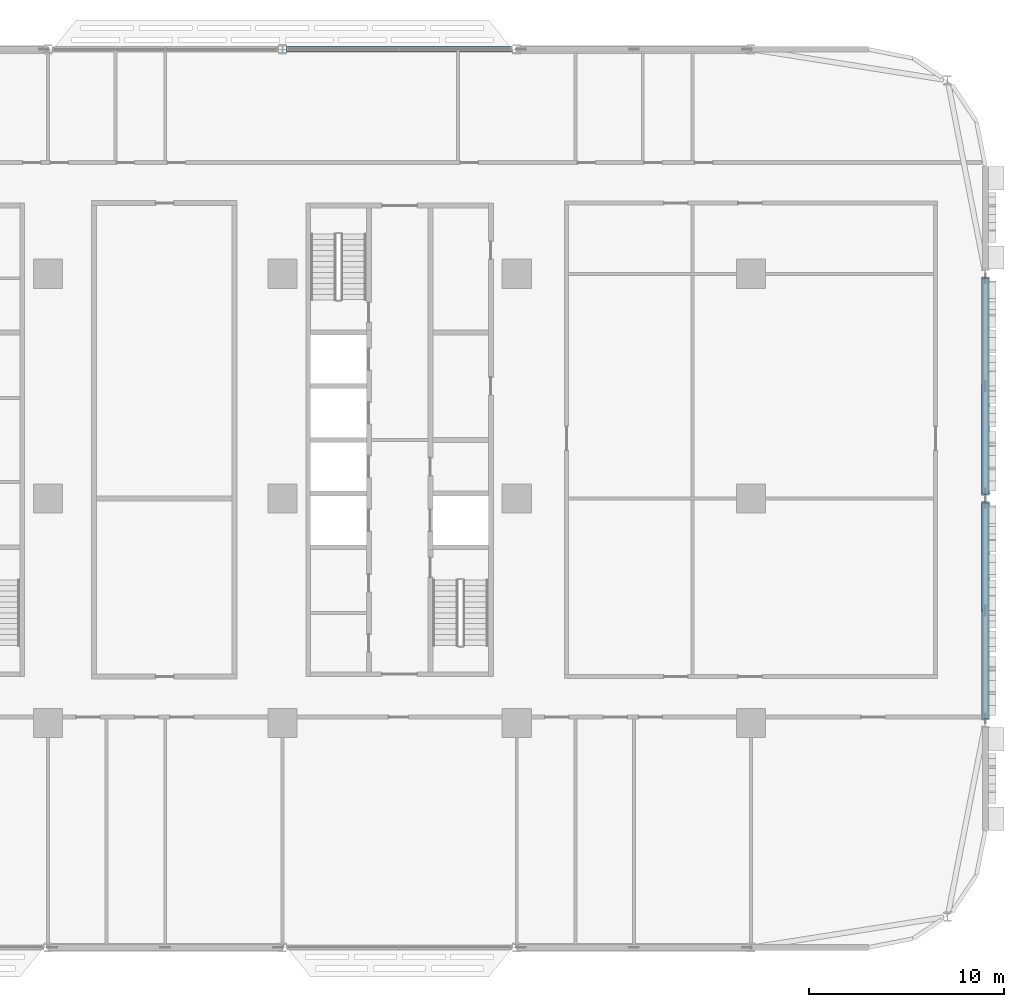
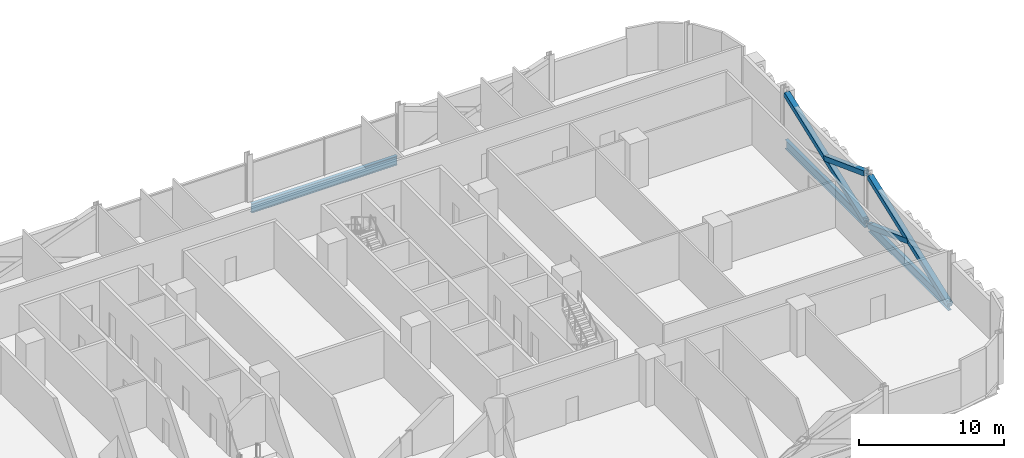
# One storey, part 9 of 29: 4 members, 3 beams.
"""IFC4 building model written with IfcOpenShell, lengths in metres."""

from ifc_helpers import new_model, si_unit, direction, frame, origin, origin_2d, place, context, subcontext, project, spatial, hollow_rectangle, i_section, extrude, material, material_profile, profile_set, type_object, element, save


model = new_model("IFC4")

# Units and contexts
model_context = context("Model", 3, precision=1e-05, world=origin(), true_north=direction((0.0, 1.0)))
body_context = subcontext(model_context, "Body", "Model", "MODEL_VIEW")
ifc_project = project(units=[si_unit("LENGTHUNIT", "METRE"), si_unit("AREAUNIT", "SQUARE_METRE"), si_unit("VOLUMEUNIT", "CUBIC_METRE"), si_unit("PLANEANGLEUNIT", "RADIAN"), si_unit("MASSUNIT", "GRAM", prefix="KILO")], contexts=[model_context])

# Site, building, storey
site_placement = place(None, origin())
site = spatial("IfcSite", under=ifc_project, at=site_placement, CompositionType="ELEMENT")
building_placement = place(site_placement, origin())
building = spatial("IfcBuilding", under=site, at=building_placement, Name="Mahtab Terrace Research Tower", CompositionType="ELEMENT")
storey_placement = place(building_placement, frame((0.0, 0.0, 67.5)))
storey = spatial("IfcBuildingStorey", under=building, at=storey_placement, Name="L15", CompositionType="ELEMENT", Elevation=67.5)

# Members
ifc_material_1 = material(Name="Steel ASTM A500 Gr C", Category="steel")
ifc_material_profile_1 = material_profile(ifc_material_1, hollow_rectangle(XDim=0.406494140625, YDim=0.406494140625, WallThickness=0.01904296875, at=origin_2d()), Name="HSS16X16X3/4")
ifc_profile_set_1 = profile_set([ifc_material_profile_1], Name="Steel ASTM A500 Gr C")
member_type = type_object("IfcMemberType", Name="HSS 16x16x3/4 brace XB161634", PredefinedType="BRACE", material=ifc_profile_set_1)
member_1_placement = place(storey_placement, frame((54.0, -11.262451171875, -0.629638671875), z_axis=(0.0, 0.936664598222, 0.35022768371), x_axis=(-1.0, 0.0, 0.0)))
element("IfcMember", 1, at=member_1_placement, inside=storey, type_object=member_type, Name="Exoskeleton brace L15 22 a", PredefinedType="BRACE", context=body_context, shape_type="SweptSolid", body=[
    extrude(hollow_rectangle(XDim=0.406494140625, YDim=0.406494140625, WallThickness=0.01904296875, at=origin_2d()), origin(), (0.0, 0.0, 1.0), 11.770263671875),
])
member_2_placement = place(storey_placement, frame((54.0, -0.237548828125, -0.629638671875), z_axis=(0.0, -0.936657793787, 0.350245881259), x_axis=(1.0, 0.0, 0.0)))
element("IfcMember", 2, at=member_2_placement, inside=storey, type_object=member_type, Name="Exoskeleton brace L15 22 b1", PredefinedType="BRACE", context=body_context, shape_type="SweptSolid", body=[
    extrude(hollow_rectangle(XDim=0.406494140625, YDim=0.406494140625, WallThickness=0.01904296875, at=origin_2d()), origin(), (0.0, 0.0, 1.0), 5.88525390625),
])
member_3_placement = place(storey_placement, frame((54.0, 0.237548828125, -0.629638671875), z_axis=(0.0, 0.936664598222, 0.35022768371), x_axis=(-1.0, 0.0, 0.0)))
element("IfcMember", 3, at=member_3_placement, inside=storey, type_object=member_type, Name="Exoskeleton brace L15 23 a", PredefinedType="BRACE", context=body_context, shape_type="SweptSolid", body=[
    extrude(hollow_rectangle(XDim=0.406494140625, YDim=0.406494140625, WallThickness=0.01904296875, at=origin_2d()), origin(), (0.0, 0.0, 1.0), 11.770263671875),
])
member_4_placement = place(storey_placement, frame((54.0, 5.75, 1.431640625), z_axis=(0.0, -0.936671402403, 0.350209485765), x_axis=(1.0, 0.0, 0.0)))
element("IfcMember", 4, at=member_4_placement, inside=storey, type_object=member_type, Name="Exoskeleton brace L15 23 b2", PredefinedType="BRACE", context=body_context, shape_type="SweptSolid", body=[
    extrude(hollow_rectangle(XDim=0.406494140625, YDim=0.406494140625, WallThickness=0.01904296875, at=origin_2d()), origin(), (0.0, 0.0, 1.0), 5.88525390625),
])

# Beams
ifc_material_2 = material(Name="Steel ASTM A992 Gr 50", Category="steel")
ifc_material_profile_2 = material_profile(ifc_material_2, i_section(OverallWidth=0.2666015625, OverallDepth=0.7568359375, WebThickness=0.013916015625, FlangeThickness=0.019287109375, at=origin_2d()), Name="W30X108")
ifc_profile_set_2 = profile_set([ifc_material_profile_2], Name="Steel ASTM A992 Gr 50")
beam_type = type_object("IfcBeamType", Name="W30x108 beam BS30108", PredefinedType="BEAM", material=ifc_profile_set_2)
beam_placement = place(storey_placement, frame((29.787841796875, 23.0, -0.718505859375), z_axis=(-1.0, 0.0, 0.0), x_axis=(0.0, -1.0, 0.0)))
element("IfcBeam", 5, at=beam_placement, inside=storey, type_object=beam_type, Name="Spandrel beam L15 03", PredefinedType="BEAM", context=body_context, shape_type="SweptSolid", body=[
    extrude(i_section(OverallWidth=0.2666015625, OverallDepth=0.7568359375, WebThickness=0.013916015625, FlangeThickness=0.019287109375, at=origin_2d()), origin(), (0.0, 0.0, 1.0), 11.57568359375),
])
for number, where, z_axis, x_axis, name in (
    (6, (54.0, -11.262451171875, -0.718505859375), (0.0, 1.0, 0.0), (-1.0, 0.0, 0.0), "Spandrel beam L15 22"),
    (7, (54.0, 0.237548828125, -0.718505859375), (0.0, 1.0, 0.0), (-1.0, 0.0, 0.0), "Spandrel beam L15 23"),
):
    element("IfcBeam", number, at=place(storey_placement, frame(where, z_axis=z_axis, x_axis=x_axis)), inside=storey, type_object=beam_type, Name=name, PredefinedType="BEAM", context=body_context, shape_type="SweptSolid", body=[
        extrude(i_section(OverallWidth=0.2666015625, OverallDepth=0.7568359375, WebThickness=0.013916015625, FlangeThickness=0.019287109375, at=origin_2d()), origin(), (0.0, 0.0, 1.0), 11.02490234375),
    ])

save(model, "model.ifc")
